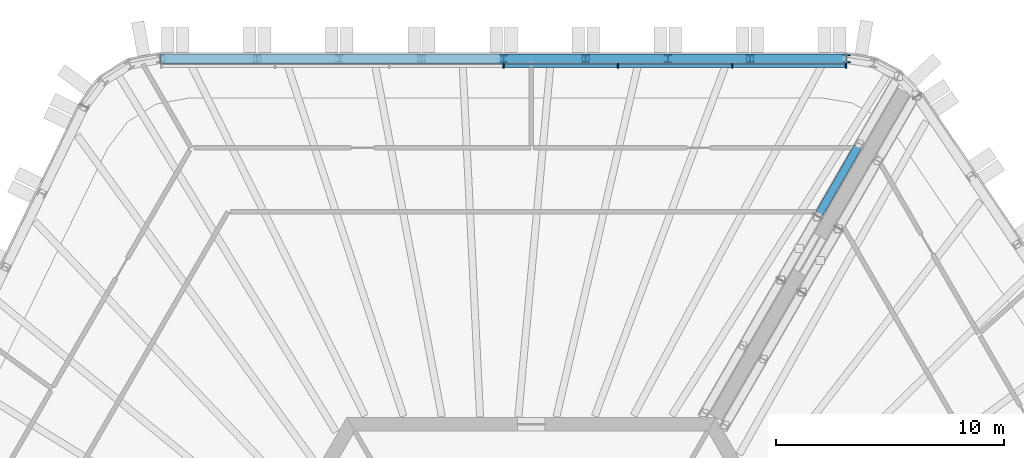
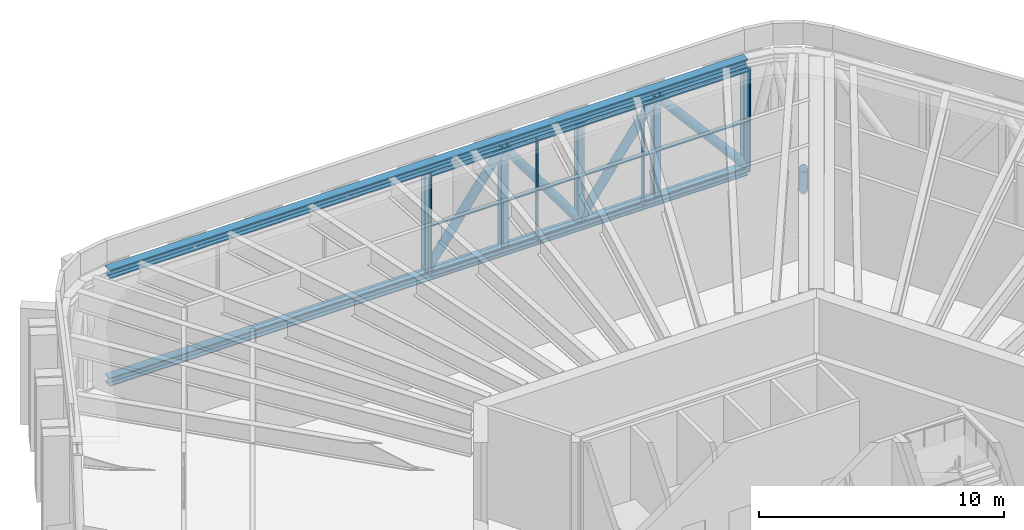
# One storey, part 9 of 27: 25 members, 1 element without a shape of its own.
"""IFC4 building model written with IfcOpenShell, lengths in metres."""

from ifc_helpers import new_model, si_unit, direction, frame, origin, origin_2d, place, context, subcontext, project, spatial, rectangle, hollow_circle, i_section, extrude, material, material_profile, profile_set, type_object, element, aggregate, save


model = new_model("IFC4")

# Units and contexts
model_context = context("Model", 3, precision=1e-05, world=origin(), true_north=direction((0.0, 1.0)))
body_context = subcontext(model_context, "Body", "Model", "MODEL_VIEW")
ifc_project = project(units=[si_unit("LENGTHUNIT", "METRE"), si_unit("AREAUNIT", "SQUARE_METRE"), si_unit("VOLUMEUNIT", "CUBIC_METRE"), si_unit("PLANEANGLEUNIT", "RADIAN"), si_unit("MASSUNIT", "GRAM", prefix="KILO")], contexts=[model_context])

# Site, building, storey
site_placement = place(None, origin())
site = spatial("IfcSite", under=ifc_project, at=site_placement, CompositionType="ELEMENT")
building_placement = place(site_placement, origin())
building = spatial("IfcBuilding", under=site, at=building_placement, Name="Tarnside Tower", CompositionType="ELEMENT")
storey_placement = place(building_placement, frame((0.0, 0.0, 146.699951171875)))
storey = spatial("IfcBuildingStorey", under=building, at=storey_placement, Name="L34", CompositionType="ELEMENT", Elevation=146.699951171875)

# Member
ifc_material_1 = material(Name="Steel S355", Category="steel")
ifc_material_profile_1 = material_profile(ifc_material_1, hollow_circle(Radius=0.177734375, WallThickness=0.01611328125, at=origin_2d()), Name="CHS 355.6x16")
ifc_profile_set_1 = profile_set([ifc_material_profile_1], Name="Steel S355")
member_type_1 = type_object("IfcMemberType", Name="Outrigger diagonal CHS 355.6x16", PredefinedType="BRACE", material=ifc_profile_set_1)
member_1_placement = place(storey_placement, frame((12.551513671875, 22.80029296875, 4.5791015625), z_axis=(0.355079747184, 0.615058077364, -0.704004214908), x_axis=(-0.866040157966, 0.499974444137, 0.0)))
element("IfcMember", 1, at=member_1_placement, inside=storey, type_object=member_type_1, Name="Outrigger truss diagonal OR1A 5", PredefinedType="BRACE", context=body_context, shape_type="SweptSolid", body=[
    extrude(hollow_circle(Radius=0.177734375, WallThickness=0.01611328125, at=origin_2d()), origin(), (0.0, 0.0, 1.0), 5.196044921875),
])

# Curtain wall, members
ifc_material_2 = material(Name="Sky lobby glazing wall", Category="glass")
curtain_wall_type = type_object("IfcCurtainWallType", Name="Sky lobby glazing wall", PredefinedType="NOTDEFINED", material=ifc_material_2)
curtain_wall_placement = place(storey_placement, origin())
curtain_wall = element("IfcCurtainWall", 2, at=curtain_wall_placement, inside=storey, type_object=curtain_wall_type, Name="Sky lobby glazing L34 F1", PredefinedType="NOTDEFINED")
ifc_material_3 = material(Name="Aluminium alloy 6063", Category="aluminium")
ifc_material_profile_2 = material_profile(ifc_material_3, rectangle(XDim=0.199951171875, YDim=0.06005859375, at=origin_2d()), Name="Sky lobby glazing mullion 60 x 200")
ifc_profile_set_2 = profile_set([ifc_material_profile_2], Name="Aluminium alloy 6063")
member_type_2 = type_object("IfcMemberType", Name="Sky lobby glazing mullion 60 x 200", PredefinedType="MULLION", material=ifc_profile_set_2)
member_2_placement = place(storey_placement, frame((13.79443359375, 29.4189453125, 0.0), z_axis=(0.0, 0.0, 1.0), x_axis=(0.0, -1.0, 0.0)))
member_2 = element("IfcMember", 3, at=member_2_placement, type_object=member_type_2, Name="CW4 mullion 1", PredefinedType="MULLION", context=body_context, shape_type="SweptSolid", body=[
    extrude(rectangle(XDim=0.199951171875, YDim=0.06005859375, at=origin_2d()), origin(), (0.0, 0.0, 1.0), 5.0634765625),
])
member_3_placement = place(storey_placement, frame((8.8125, 29.4189453125, 0.0), z_axis=(0.0, 0.0, 1.0), x_axis=(0.0, -1.0, 0.0)))
member_3 = element("IfcMember", 4, at=member_3_placement, type_object=member_type_2, Name="CW4 mullion 2", PredefinedType="MULLION", context=body_context, shape_type="SweptSolid", body=[
    extrude(rectangle(XDim=0.199951171875, YDim=0.06005859375, at=origin_2d()), origin(), (0.0, 0.0, 1.0), 5.0634765625),
])
member_4_placement = place(storey_placement, frame((3.80078125, 29.4189453125, 0.0), z_axis=(0.0, 0.0, 1.0), x_axis=(0.0, -1.0, 0.0)))
member_4 = element("IfcMember", 5, at=member_4_placement, type_object=member_type_2, Name="CW4 mullion 3", PredefinedType="MULLION", context=body_context, shape_type="SweptSolid", body=[
    extrude(rectangle(XDim=0.199951171875, YDim=0.06005859375, at=origin_2d()), origin(), (0.0, 0.0, 1.0), 5.0634765625),
])
member_5_placement = place(storey_placement, frame((-1.211181640625, 29.4189453125, 0.0), z_axis=(0.0, 0.0, 1.0), x_axis=(0.0, -1.0, 0.0)))
member_5 = element("IfcMember", 6, at=member_5_placement, type_object=member_type_2, Name="CW4 mullion 4", PredefinedType="MULLION", context=body_context, shape_type="SweptSolid", body=[
    extrude(rectangle(XDim=0.199951171875, YDim=0.06005859375, at=origin_2d()), origin(), (0.0, 0.0, 1.0), 5.0634765625),
])
ifc_material_profile_3 = material_profile(ifc_material_3, rectangle(XDim=0.159912109375, YDim=0.06005859375, at=origin_2d()), Name="Sky lobby glazing transom 60 x 160")
ifc_profile_set_3 = profile_set([ifc_material_profile_3], Name="Aluminium alloy 6063")
member_type_3 = type_object("IfcMemberType", Name="Sky lobby glazing transom 60 x 160", PredefinedType="USERDEFINED", material=ifc_profile_set_3)
member_6_placement = place(storey_placement, frame((13.764404296875, 29.4189453125, 0.030029296875), z_axis=(-1.0, 0.0, 0.0), x_axis=(0.0, -1.0, 0.0)))
member_6 = element("IfcMember", 7, at=member_6_placement, type_object=member_type_3, Name="CW4 transom 1.1", ObjectType="TRANSOM", PredefinedType="USERDEFINED", context=body_context, shape_type="SweptSolid", body=[
    extrude(rectangle(XDim=0.159912109375, YDim=0.06005859375, at=origin_2d()), origin(), (0.0, 0.0, 1.0), 4.921875),
])
member_7_placement = place(storey_placement, frame((13.764404296875, 29.4189453125, 2.53173828125), z_axis=(-1.0, 0.0, 0.0), x_axis=(0.0, -1.0, 0.0)))
member_7 = element("IfcMember", 8, at=member_7_placement, type_object=member_type_3, Name="CW4 transom 1.2", ObjectType="TRANSOM", PredefinedType="USERDEFINED", context=body_context, shape_type="SweptSolid", body=[
    extrude(rectangle(XDim=0.159912109375, YDim=0.06005859375, at=origin_2d()), origin(), (0.0, 0.0, 1.0), 4.921875),
])
member_8_placement = place(storey_placement, frame((13.764404296875, 29.4189453125, 5.033447265625), z_axis=(-1.0, 0.0, 0.0), x_axis=(0.0, -1.0, 0.0)))
member_8 = element("IfcMember", 9, at=member_8_placement, type_object=member_type_3, Name="CW4 transom 1.3", ObjectType="TRANSOM", PredefinedType="USERDEFINED", context=body_context, shape_type="SweptSolid", body=[
    extrude(rectangle(XDim=0.159912109375, YDim=0.06005859375, at=origin_2d()), origin(), (0.0, 0.0, 1.0), 4.921875),
])
member_9_placement = place(storey_placement, frame((8.78271484375, 29.4189453125, 0.030029296875), z_axis=(-1.0, 0.0, 0.0), x_axis=(0.0, -1.0, 0.0)))
member_9 = element("IfcMember", 10, at=member_9_placement, type_object=member_type_3, Name="CW4 transom 2.1", ObjectType="TRANSOM", PredefinedType="USERDEFINED", context=body_context, shape_type="SweptSolid", body=[
    extrude(rectangle(XDim=0.159912109375, YDim=0.06005859375, at=origin_2d()), origin(), (0.0, 0.0, 1.0), 4.951904296875),
])
member_10_placement = place(storey_placement, frame((8.78271484375, 29.4189453125, 2.53173828125), z_axis=(-1.0, 0.0, 0.0), x_axis=(0.0, -1.0, 0.0)))
member_10 = element("IfcMember", 11, at=member_10_placement, type_object=member_type_3, Name="CW4 transom 2.2", ObjectType="TRANSOM", PredefinedType="USERDEFINED", context=body_context, shape_type="SweptSolid", body=[
    extrude(rectangle(XDim=0.159912109375, YDim=0.06005859375, at=origin_2d()), origin(), (0.0, 0.0, 1.0), 4.951904296875),
])
member_11_placement = place(storey_placement, frame((8.78271484375, 29.4189453125, 5.033447265625), z_axis=(-1.0, 0.0, 0.0), x_axis=(0.0, -1.0, 0.0)))
member_11 = element("IfcMember", 12, at=member_11_placement, type_object=member_type_3, Name="CW4 transom 2.3", ObjectType="TRANSOM", PredefinedType="USERDEFINED", context=body_context, shape_type="SweptSolid", body=[
    extrude(rectangle(XDim=0.159912109375, YDim=0.06005859375, at=origin_2d()), origin(), (0.0, 0.0, 1.0), 4.951904296875),
])
member_12_placement = place(storey_placement, frame((3.770751953125, 29.4189453125, 0.030029296875), z_axis=(-1.0, 0.0, 0.0), x_axis=(0.0, -1.0, 0.0)))
member_12 = element("IfcMember", 13, at=member_12_placement, type_object=member_type_3, Name="CW4 transom 3.1", ObjectType="TRANSOM", PredefinedType="USERDEFINED", context=body_context, shape_type="SweptSolid", body=[
    extrude(rectangle(XDim=0.159912109375, YDim=0.06005859375, at=origin_2d()), origin(), (0.0, 0.0, 1.0), 4.951904296875),
])
member_13_placement = place(storey_placement, frame((3.770751953125, 29.4189453125, 2.53173828125), z_axis=(-1.0, 0.0, 0.0), x_axis=(0.0, -1.0, 0.0)))
member_13 = element("IfcMember", 14, at=member_13_placement, type_object=member_type_3, Name="CW4 transom 3.2", ObjectType="TRANSOM", PredefinedType="USERDEFINED", context=body_context, shape_type="SweptSolid", body=[
    extrude(rectangle(XDim=0.159912109375, YDim=0.06005859375, at=origin_2d()), origin(), (0.0, 0.0, 1.0), 4.951904296875),
])
member_14_placement = place(storey_placement, frame((3.770751953125, 29.4189453125, 5.033447265625), z_axis=(-1.0, 0.0, 0.0), x_axis=(0.0, -1.0, 0.0)))
member_14 = element("IfcMember", 15, at=member_14_placement, type_object=member_type_3, Name="CW4 transom 3.3", ObjectType="TRANSOM", PredefinedType="USERDEFINED", context=body_context, shape_type="SweptSolid", body=[
    extrude(rectangle(XDim=0.159912109375, YDim=0.06005859375, at=origin_2d()), origin(), (0.0, 0.0, 1.0), 4.951904296875),
])
aggregate(curtain_wall, [member_2, member_3, member_4, member_5, member_6, member_7, member_8, member_9, member_10, member_11, member_12, member_13, member_14])

# Members
ifc_material_profile_4 = material_profile(ifc_material_1, i_section(OverallWidth=0.406982421875, OverallDepth=0.4189453125, WebThickness=0.030517578125, FlangeThickness=0.04931640625, FilletRadius=0.01513671875, at=origin_2d()), Name="UC 356x406x393")
ifc_profile_set_4 = profile_set([ifc_material_profile_4], Name="Steel S355")
member_type_4 = type_object("IfcMemberType", Name="Truss chord UC 356x406x393", PredefinedType="CHORD", material=ifc_profile_set_4)
member_15_placement = place(storey_placement, frame((13.824462890625, 29.72509765625, -0.09033203125), z_axis=(-1.0, 0.0, 0.0), x_axis=(0.0, -1.0, 0.0)))
element("IfcMember", 16, at=member_15_placement, inside=storey, type_object=member_type_4, Name="Belt truss bottom chord L34 run", PredefinedType="CHORD", context=body_context, shape_type="SweptSolid", body=[
    extrude(i_section(OverallWidth=0.406982421875, OverallDepth=0.4189453125, WebThickness=0.030517578125, FlangeThickness=0.04931640625, FilletRadius=0.01513671875, at=origin_2d()), origin(), (0.0, 0.0, 1.0), 30.071044921875),
])
ifc_material_4 = material(Name="Steel S460", Category="steel")
ifc_material_profile_5 = material_profile(ifc_material_4, i_section(OverallWidth=0.412109375, OverallDepth=0.4365234375, WebThickness=0.035888671875, FlangeThickness=0.05810546875, FilletRadius=0.01513671875, at=origin_2d()), Name="UC 356x406x467")
ifc_profile_set_5 = profile_set([ifc_material_profile_5], Name="Steel S460")
member_type_5 = type_object("IfcMemberType", Name="Truss chord UC 356x406x467", PredefinedType="CHORD", material=ifc_profile_set_5)
member_16_placement = place(storey_placement, frame((13.824462890625, 29.72509765625, 5.28173828125), z_axis=(-1.0, 0.0, 0.0), x_axis=(0.0, -1.0, 0.0)))
element("IfcMember", 17, at=member_16_placement, inside=storey, type_object=member_type_5, Name="Belt truss top chord L34 run", PredefinedType="CHORD", context=body_context, shape_type="SweptSolid", body=[
    extrude(i_section(OverallWidth=0.412109375, OverallDepth=0.4365234375, WebThickness=0.035888671875, FlangeThickness=0.05810546875, FilletRadius=0.01513671875, at=origin_2d()), origin(), (0.0, 0.0, 1.0), 30.071044921875),
])
ifc_material_profile_6 = material_profile(ifc_material_1, hollow_circle(Radius=0.203125, WallThickness=0.01611328125, at=origin_2d()), Name="CHS 406.4x16")
ifc_profile_set_6 = profile_set([ifc_material_profile_6], Name="Steel S355")
member_type_6 = type_object("IfcMemberType", Name="Truss diagonal CHS 406.4x16", PredefinedType="BRACE", material=ifc_profile_set_6)
member_17_placement = place(storey_placement, frame((13.824462890625, 29.72509765625, 0.119140625), z_axis=(-0.650578262617, 0.0, 0.75943921693), x_axis=(0.0, -1.0, 0.0)))
element("IfcMember", 18, at=member_17_placement, inside=storey, type_object=member_type_6, Name="Belt truss diagonal L34 1", PredefinedType="BRACE", context=body_context, shape_type="SweptSolid", body=[
    extrude(hollow_circle(Radius=0.203125, WallThickness=0.01611328125, at=origin_2d()), origin(), (0.0, 0.0, 1.0), 6.510498046875),
])
member_18_placement = place(storey_placement, frame((9.5888671875, 29.72509765625, 5.0634765625), z_axis=(-0.588596477515, 0.0, -0.808426982885), x_axis=(0.0, -1.0, 0.0)))
element("IfcMember", 19, at=member_18_placement, inside=storey, type_object=member_type_6, Name="Belt truss diagonal L34 2", PredefinedType="BRACE", context=body_context, shape_type="SweptSolid", body=[
    extrude(hollow_circle(Radius=0.203125, WallThickness=0.01611328125, at=origin_2d()), origin(), (0.0, 0.0, 1.0), 6.115966796875),
])
for number, where, z_axis, x_axis, name in (
    (20, (5.989013671875, 29.72509765625, 0.119140625), (-0.588622565419, 0.0, 0.808407988258), (0.0, -1.0, 0.0), "Belt truss diagonal L34 3"),
    (21, (2.388916015625, 29.72509765625, 5.0634765625), (-0.588622565419, 0.0, -0.808407988258), (0.0, -1.0, 0.0), "Belt truss diagonal L34 4"),
):
    element("IfcMember", number, at=place(storey_placement, frame(where, z_axis=z_axis, x_axis=x_axis)), inside=storey, type_object=member_type_6, Name=name, PredefinedType="BRACE", context=body_context, shape_type="SweptSolid", body=[
        extrude(hollow_circle(Radius=0.203125, WallThickness=0.01611328125, at=origin_2d()), origin(), (0.0, 0.0, 1.0), 6.1162109375),
    ])
ifc_material_profile_7 = material_profile(ifc_material_1, i_section(OverallWidth=0.314453125, OverallDepth=0.33984375, WebThickness=0.01904296875, FlangeThickness=0.031494140625, FilletRadius=0.01513671875, at=origin_2d()), Name="UC 305x305x198")
ifc_profile_set_7 = profile_set([ifc_material_profile_7], Name="Steel S355")
member_type_7 = type_object("IfcMemberType", Name="Truss post UC 305x305x198", PredefinedType="POST", material=ifc_profile_set_7)
for number, where, z_axis, x_axis, name in (
    (22, (13.824462890625, 29.72509765625, 0.119140625), (0.0, 0.0, 1.0), (-1.0, 0.0, 0.0), "Belt truss post L34 1"),
    (23, (9.5888671875, 29.72509765625, 0.119140625), (0.0, 0.0, 1.0), (-1.0, 0.0, 0.0), "Belt truss post L34 2"),
    (24, (5.989013671875, 29.72509765625, 0.119140625), (0.0, 0.0, 1.0), (-1.0, 0.0, 0.0), "Belt truss post L34 3"),
    (25, (2.388916015625, 29.72509765625, 0.119140625), (0.0, 0.0, 1.0), (-1.0, 0.0, 0.0), "Belt truss post L34 4"),
    (26, (-1.211181640625, 29.72509765625, 0.119140625), (0.0, 0.0, 1.0), (-1.0, 0.0, 0.0), "Belt truss post L34 5"),
):
    element("IfcMember", number, at=place(storey_placement, frame(where, z_axis=z_axis, x_axis=x_axis)), inside=storey, type_object=member_type_7, Name=name, PredefinedType="POST", context=body_context, shape_type="SweptSolid", body=[
        extrude(i_section(OverallWidth=0.314453125, OverallDepth=0.33984375, WebThickness=0.01904296875, FlangeThickness=0.031494140625, FilletRadius=0.01513671875, at=origin_2d()), origin(), (0.0, 0.0, 1.0), 4.9443359375),
    ])

save(model, "model.ifc")
